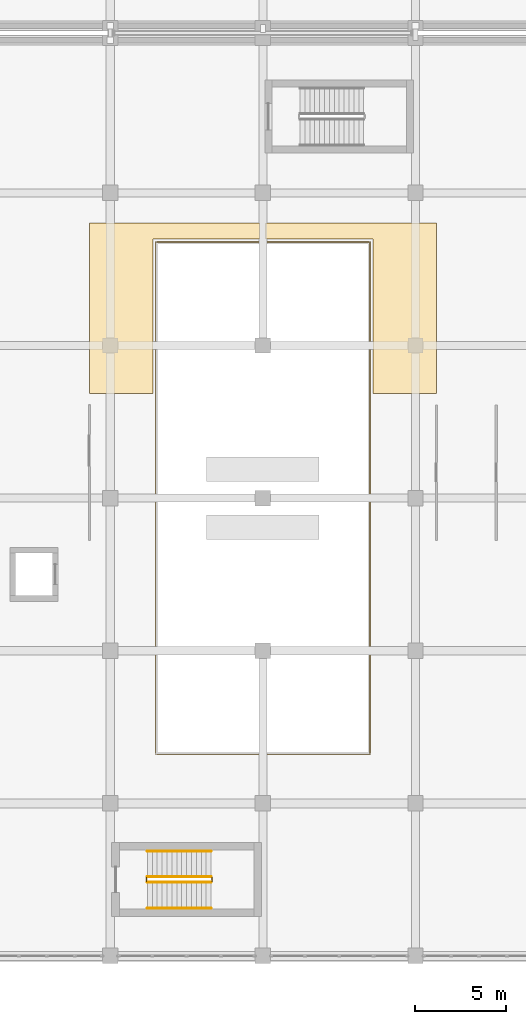
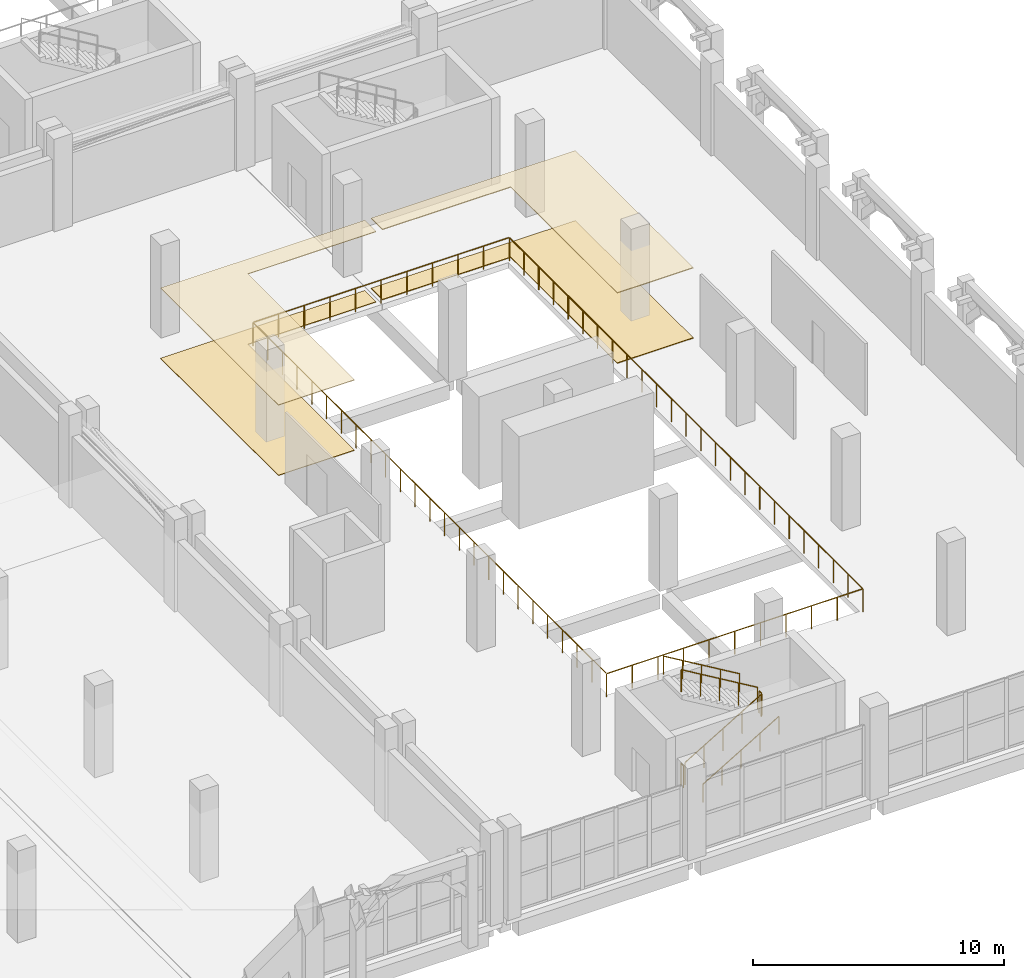
# One storey, part 127 of 137: 7 railings, 4 coverings.
"""IFC4 building model written with IfcOpenShell, lengths in metres."""

from ifc_helpers import new_model, si_unit, direction, frame, origin, origin_2d, place, context, subcontext, project, spatial, polyline, circle, outline, extrude, material, layer, layer_set, type_object, element, save


model = new_model("IFC4")

# Units and contexts
model_context = context("Model", 3, precision=1e-05, world=origin(), true_north=direction((0.0, 1.0)))
body_context = subcontext(model_context, "Body", "Model", "MODEL_VIEW")
ifc_project = project(units=[si_unit("LENGTHUNIT", "METRE"), si_unit("AREAUNIT", "SQUARE_METRE"), si_unit("VOLUMEUNIT", "CUBIC_METRE"), si_unit("PLANEANGLEUNIT", "RADIAN"), si_unit("MASSUNIT", "GRAM", prefix="KILO")], contexts=[model_context])

# Site, building, storey
site_placement = place(None, origin())
site = spatial("IfcSite", under=ifc_project, at=site_placement, CompositionType="ELEMENT")
building_placement = place(site_placement, origin())
building = spatial("IfcBuilding", under=site, at=building_placement, Name="Xazarin Passage Department Store", CompositionType="ELEMENT")
storey_placement = place(building_placement, frame((0.0, 0.0, 5.39990234375)))
storey = spatial("IfcBuildingStorey", under=building, at=storey_placement, Name="L01", CompositionType="ELEMENT", Elevation=5.39990234375)

# Coverings
ifc_material_1 = material(Name="Acoustic mineral ceiling")
ifc_layer_1 = layer(ifc_material_1, 0.030029296875)
ifc_layer_set_1 = layer_set([ifc_layer_1], Name="Acoustic mineral ceiling")
covering_type_1 = type_object("IfcCoveringType", Name="ARC-COV-CLG030", PredefinedType="CEILING", material=ifc_layer_set_1)
covering_1_placement = place(storey_placement, frame((0.0, 0.0, 3.420166015625)))
element("IfcCovering", 1, at=covering_1_placement, inside=storey, type_object=covering_type_1, Name="L01 Artisan Ceramic Gallery Acoustic Ceiling", PredefinedType="CEILING", context=body_context, shape_type="SweptSolid", body=[
    extrude(outline(polyline([(75.25, 40.35009765625), (75.25, 30.949951171875), (78.75, 30.949951171875), (78.75, 39.449951171875), (84.64990234375, 39.449951171875), (84.64990234375, 40.35009765625), (75.25, 40.35009765625)])), origin(), (0.0, 0.0, 1.0), 0.030029296875),
])
ifc_layer_2 = layer(ifc_material_1, 0.0400390625)
ifc_layer_set_2 = layer_set([ifc_layer_2], Name="Acoustic mineral ceiling")
covering_type_2 = type_object("IfcCoveringType", Name="ARC-COV-CLG040", PredefinedType="CEILING", material=ifc_layer_set_2)
covering_2_placement = place(storey_placement, frame((0.0, 0.0, 3.41015625)))
element("IfcCovering", 2, at=covering_2_placement, inside=storey, type_object=covering_type_2, Name="L01 Designer Eyewear Shop Acoustic Ceiling", PredefinedType="CEILING", context=body_context, shape_type="SweptSolid", body=[
    extrude(outline(polyline([(94.35009765625, 40.35009765625), (84.949951171875, 40.35009765625), (84.949951171875, 39.449951171875), (90.85009765625, 39.449951171875), (90.85009765625, 30.949951171875), (94.35009765625, 30.949951171875), (94.35009765625, 40.35009765625)])), origin(), (0.0, 0.0, 1.0), 0.0400390625),
])
ifc_material_2 = material(Name="Terrazzo stone flooring", Category="masonry")
ifc_layer_3 = layer(ifc_material_2, 0.02490234375)
ifc_layer_set_3 = layer_set([ifc_layer_3], Name="Terrazzo stone flooring")
covering_type_3 = type_object("IfcCoveringType", Name="ARC-COV-FLR025", PredefinedType="FLOORING", material=ifc_layer_set_3)
covering_3_placement = place(storey_placement, origin())
element("IfcCovering", 3, at=covering_3_placement, inside=storey, type_object=covering_type_3, Name="L01 Artisan Ceramic Gallery Terrazzo Flooring", PredefinedType="FLOORING", context=body_context, shape_type="SweptSolid", body=[
    extrude(outline(polyline([(75.25, 40.35009765625), (75.25, 30.949951171875), (78.75, 30.949951171875), (78.75, 39.449951171875), (84.64990234375, 39.449951171875), (84.64990234375, 40.35009765625), (75.25, 40.35009765625)])), origin(), (0.0, 0.0, 1.0), 0.025146484375),
])
ifc_layer_4 = layer(ifc_material_2, 0.034912109375)
ifc_layer_set_4 = layer_set([ifc_layer_4], Name="Terrazzo stone flooring")
covering_type_4 = type_object("IfcCoveringType", Name="ARC-COV-FLR035", PredefinedType="FLOORING", material=ifc_layer_set_4)
covering_4_placement = place(storey_placement, origin())
element("IfcCovering", 4, at=covering_4_placement, inside=storey, type_object=covering_type_4, Name="L01 Designer Eyewear Shop Terrazzo Flooring", PredefinedType="FLOORING", context=body_context, shape_type="SweptSolid", body=[
    extrude(outline(polyline([(94.35009765625, 40.35009765625), (84.949951171875, 40.35009765625), (84.949951171875, 39.449951171875), (90.85009765625, 39.449951171875), (90.85009765625, 30.949951171875), (94.35009765625, 30.949951171875), (94.35009765625, 40.35009765625)])), origin(), (0.0, 0.0, 1.0), 0.03515625),
])

# Railings
ifc_material_3 = material(Name="Low-E laminated safety glass", Category="glass")
railing_type_1 = type_object("IfcRailingType", Name="ARC-RL-BAL115", PredefinedType="BALUSTRADE", material=ifc_material_3)
railing_1_placement = place(storey_placement, frame((78.89990234375, 11.10009765625, 0.0)))
element("IfcRailing", 5, at=railing_1_placement, inside=storey, type_object=railing_type_1, Name="L01 Void Edge Balustrade 0002", PredefinedType="BALUSTRADE", context=body_context, shape_type="SweptSolid", body=[
    extrude(circle(Radius=0.02392578125, at=origin_2d()), frame((0.03125, 0.0, 1.1259765625), z_axis=(1.0, 0.0, 0.0), x_axis=(0.0, 1.0, 0.0)), (0.0, 0.0, 1.0), 11.737548828125),
    extrude(circle(Radius=0.02392578125, at=origin_2d()), frame((11.800048828125, 0.03125, 1.1259765625), z_axis=(0.0, 1.0, 0.0), x_axis=(-1.0, 0.0, 0.0)), (0.0, 0.0, 1.0), 28.137451171875),
    extrude(circle(Radius=0.02392578125, at=origin_2d()), frame((11.768798828125, 28.199951171875, 1.1259765625), z_axis=(-1.0, 0.0, 0.0), x_axis=(0.0, -1.0, 0.0)), (0.0, 0.0, 1.0), 11.737548828125),
    extrude(circle(Radius=0.02392578125, at=origin_2d()), frame((0.0, 28.168701171875, 1.1259765625), z_axis=(0.0, -1.0, 0.0), x_axis=(1.0, 0.0, 0.0)), (0.0, 0.0, 1.0), 28.137451171875),
    extrude(circle(Radius=0.02099609375, at=origin_2d()), origin(), (0.0, 0.0, 1.0), 1.1015625),
    extrude(circle(Radius=0.02099609375, at=origin_2d()), frame((1.179931640625, 0.0, 0.0)), (0.0, 0.0, 1.0), 1.1015625),
    extrude(circle(Radius=0.02099609375, at=origin_2d()), frame((2.360107421875, 0.0, 0.0)), (0.0, 0.0, 1.0), 1.1015625),
    extrude(circle(Radius=0.02099609375, at=origin_2d()), frame((3.5400390625, 0.0, 0.0)), (0.0, 0.0, 1.0), 1.1015625),
    extrude(circle(Radius=0.02099609375, at=origin_2d()), frame((4.719970703125, 0.0, 0.0)), (0.0, 0.0, 1.0), 1.1015625),
    extrude(circle(Radius=0.02099609375, at=origin_2d()), frame((5.89990234375, 0.0, 0.0)), (0.0, 0.0, 1.0), 1.1015625),
    extrude(circle(Radius=0.02099609375, at=origin_2d()), frame((7.080078125, 0.0, 0.0)), (0.0, 0.0, 1.0), 1.1015625),
    extrude(circle(Radius=0.02099609375, at=origin_2d()), frame((8.260009765625, 0.0, 0.0)), (0.0, 0.0, 1.0), 1.1015625),
    extrude(circle(Radius=0.02099609375, at=origin_2d()), frame((9.43994140625, 0.0, 0.0)), (0.0, 0.0, 1.0), 1.1015625),
    extrude(circle(Radius=0.02099609375, at=origin_2d()), frame((10.6201171875, 0.0, 0.0)), (0.0, 0.0, 1.0), 1.1015625),
    extrude(circle(Radius=0.02099609375, at=origin_2d()), frame((11.800048828125, 0.0, 0.0)), (0.0, 0.0, 1.0), 1.1015625),
    extrude(circle(Radius=0.02099609375, at=origin_2d()), frame((11.800048828125, 1.175048828125, 0.0)), (0.0, 0.0, 1.0), 1.1015625),
    extrude(circle(Radius=0.02099609375, at=origin_2d()), frame((11.800048828125, 2.35009765625, 0.0)), (0.0, 0.0, 1.0), 1.1015625),
    extrude(circle(Radius=0.02099609375, at=origin_2d()), frame((11.800048828125, 3.52490234375, 0.0)), (0.0, 0.0, 1.0), 1.1015625),
    extrude(circle(Radius=0.02099609375, at=origin_2d()), frame((11.800048828125, 4.699951171875, 0.0)), (0.0, 0.0, 1.0), 1.1015625),
    extrude(circle(Radius=0.02099609375, at=origin_2d()), frame((11.800048828125, 5.875, 0.0)), (0.0, 0.0, 1.0), 1.1015625),
    extrude(circle(Radius=0.02099609375, at=origin_2d()), frame((11.800048828125, 7.050048828125, 0.0)), (0.0, 0.0, 1.0), 1.1015625),
    extrude(circle(Radius=0.02099609375, at=origin_2d()), frame((11.800048828125, 8.22509765625, 0.0)), (0.0, 0.0, 1.0), 1.1015625),
    extrude(circle(Radius=0.02099609375, at=origin_2d()), frame((11.800048828125, 9.39990234375, 0.0)), (0.0, 0.0, 1.0), 1.1015625),
    extrude(circle(Radius=0.02099609375, at=origin_2d()), frame((11.800048828125, 10.574951171875, 0.0)), (0.0, 0.0, 1.0), 1.1015625),
    extrude(circle(Radius=0.02099609375, at=origin_2d()), frame((11.800048828125, 11.75, 0.0)), (0.0, 0.0, 1.0), 1.1015625),
    extrude(circle(Radius=0.02099609375, at=origin_2d()), frame((11.800048828125, 12.925048828125, 0.0)), (0.0, 0.0, 1.0), 1.1015625),
    extrude(circle(Radius=0.02099609375, at=origin_2d()), frame((11.800048828125, 14.10009765625, 0.0)), (0.0, 0.0, 1.0), 1.1015625),
    extrude(circle(Radius=0.02099609375, at=origin_2d()), frame((11.800048828125, 15.27490234375, 0.0)), (0.0, 0.0, 1.0), 1.1015625),
    extrude(circle(Radius=0.02099609375, at=origin_2d()), frame((11.800048828125, 16.449951171875, 0.0)), (0.0, 0.0, 1.0), 1.1015625),
    extrude(circle(Radius=0.02099609375, at=origin_2d()), frame((11.800048828125, 17.625, 0.0)), (0.0, 0.0, 1.0), 1.1015625),
    extrude(circle(Radius=0.02099609375, at=origin_2d()), frame((11.800048828125, 18.800048828125, 0.0)), (0.0, 0.0, 1.0), 1.1015625),
    extrude(circle(Radius=0.02099609375, at=origin_2d()), frame((11.800048828125, 19.974853515625, 0.0)), (0.0, 0.0, 1.0), 1.1015625),
    extrude(circle(Radius=0.02099609375, at=origin_2d()), frame((11.800048828125, 21.14990234375, 0.0)), (0.0, 0.0, 1.0), 1.1015625),
    extrude(circle(Radius=0.02099609375, at=origin_2d()), frame((11.800048828125, 22.324951171875, 0.0)), (0.0, 0.0, 1.0), 1.1015625),
    extrude(circle(Radius=0.02099609375, at=origin_2d()), frame((11.800048828125, 23.5, 0.0)), (0.0, 0.0, 1.0), 1.1015625),
    extrude(circle(Radius=0.02099609375, at=origin_2d()), frame((11.800048828125, 24.675048828125, 0.0)), (0.0, 0.0, 1.0), 1.1015625),
    extrude(circle(Radius=0.02099609375, at=origin_2d()), frame((11.800048828125, 25.849853515625, 0.0)), (0.0, 0.0, 1.0), 1.1015625),
    extrude(circle(Radius=0.02099609375, at=origin_2d()), frame((11.800048828125, 27.02490234375, 0.0)), (0.0, 0.0, 1.0), 1.1015625),
    extrude(circle(Radius=0.02099609375, at=origin_2d()), frame((11.800048828125, 28.199951171875, 0.0)), (0.0, 0.0, 1.0), 1.1015625),
    extrude(circle(Radius=0.02099609375, at=origin_2d()), frame((10.6201171875, 28.199951171875, 0.0)), (0.0, 0.0, 1.0), 1.1015625),
    extrude(circle(Radius=0.02099609375, at=origin_2d()), frame((9.43994140625, 28.199951171875, 0.0)), (0.0, 0.0, 1.0), 1.1015625),
    extrude(circle(Radius=0.02099609375, at=origin_2d()), frame((8.260009765625, 28.199951171875, 0.0)), (0.0, 0.0, 1.0), 1.1015625),
    extrude(circle(Radius=0.02099609375, at=origin_2d()), frame((7.080078125, 28.199951171875, 0.0)), (0.0, 0.0, 1.0), 1.1015625),
    extrude(circle(Radius=0.02099609375, at=origin_2d()), frame((5.89990234375, 28.199951171875, 0.0)), (0.0, 0.0, 1.0), 1.1015625),
    extrude(circle(Radius=0.02099609375, at=origin_2d()), frame((4.719970703125, 28.199951171875, 0.0)), (0.0, 0.0, 1.0), 1.1015625),
    extrude(circle(Radius=0.02099609375, at=origin_2d()), frame((3.5400390625, 28.199951171875, 0.0)), (0.0, 0.0, 1.0), 1.1015625),
    extrude(circle(Radius=0.02099609375, at=origin_2d()), frame((2.360107421875, 28.199951171875, 0.0)), (0.0, 0.0, 1.0), 1.1015625),
    extrude(circle(Radius=0.02099609375, at=origin_2d()), frame((1.179931640625, 28.199951171875, 0.0)), (0.0, 0.0, 1.0), 1.1015625),
    extrude(circle(Radius=0.02099609375, at=origin_2d()), frame((0.0, 28.199951171875, 0.0)), (0.0, 0.0, 1.0), 1.1015625),
    extrude(circle(Radius=0.02099609375, at=origin_2d()), frame((0.0, 27.02490234375, 0.0)), (0.0, 0.0, 1.0), 1.1015625),
    extrude(circle(Radius=0.02099609375, at=origin_2d()), frame((0.0, 25.849853515625, 0.0)), (0.0, 0.0, 1.0), 1.1015625),
    extrude(circle(Radius=0.02099609375, at=origin_2d()), frame((0.0, 24.675048828125, 0.0)), (0.0, 0.0, 1.0), 1.1015625),
    extrude(circle(Radius=0.02099609375, at=origin_2d()), frame((0.0, 23.5, 0.0)), (0.0, 0.0, 1.0), 1.1015625),
    extrude(circle(Radius=0.02099609375, at=origin_2d()), frame((0.0, 22.324951171875, 0.0)), (0.0, 0.0, 1.0), 1.1015625),
    extrude(circle(Radius=0.02099609375, at=origin_2d()), frame((0.0, 21.14990234375, 0.0)), (0.0, 0.0, 1.0), 1.1015625),
    extrude(circle(Radius=0.02099609375, at=origin_2d()), frame((0.0, 19.974853515625, 0.0)), (0.0, 0.0, 1.0), 1.1015625),
    extrude(circle(Radius=0.02099609375, at=origin_2d()), frame((0.0, 18.800048828125, 0.0)), (0.0, 0.0, 1.0), 1.1015625),
    extrude(circle(Radius=0.02099609375, at=origin_2d()), frame((0.0, 17.625, 0.0)), (0.0, 0.0, 1.0), 1.1015625),
    extrude(circle(Radius=0.02099609375, at=origin_2d()), frame((0.0, 16.449951171875, 0.0)), (0.0, 0.0, 1.0), 1.1015625),
    extrude(circle(Radius=0.02099609375, at=origin_2d()), frame((0.0, 15.27490234375, 0.0)), (0.0, 0.0, 1.0), 1.1015625),
    extrude(circle(Radius=0.02099609375, at=origin_2d()), frame((0.0, 14.10009765625, 0.0)), (0.0, 0.0, 1.0), 1.1015625),
    extrude(circle(Radius=0.02099609375, at=origin_2d()), frame((0.0, 12.925048828125, 0.0)), (0.0, 0.0, 1.0), 1.1015625),
    extrude(circle(Radius=0.02099609375, at=origin_2d()), frame((0.0, 11.75, 0.0)), (0.0, 0.0, 1.0), 1.1015625),
    extrude(circle(Radius=0.02099609375, at=origin_2d()), frame((0.0, 10.574951171875, 0.0)), (0.0, 0.0, 1.0), 1.1015625),
    extrude(circle(Radius=0.02099609375, at=origin_2d()), frame((0.0, 9.39990234375, 0.0)), (0.0, 0.0, 1.0), 1.1015625),
    extrude(circle(Radius=0.02099609375, at=origin_2d()), frame((0.0, 8.22509765625, 0.0)), (0.0, 0.0, 1.0), 1.1015625),
    extrude(circle(Radius=0.02099609375, at=origin_2d()), frame((0.0, 7.050048828125, 0.0)), (0.0, 0.0, 1.0), 1.1015625),
    extrude(circle(Radius=0.02099609375, at=origin_2d()), frame((0.0, 5.875, 0.0)), (0.0, 0.0, 1.0), 1.1015625),
    extrude(circle(Radius=0.02099609375, at=origin_2d()), frame((0.0, 4.699951171875, 0.0)), (0.0, 0.0, 1.0), 1.1015625),
    extrude(circle(Radius=0.02099609375, at=origin_2d()), frame((0.0, 3.52490234375, 0.0)), (0.0, 0.0, 1.0), 1.1015625),
    extrude(circle(Radius=0.02099609375, at=origin_2d()), frame((0.0, 2.35009765625, 0.0)), (0.0, 0.0, 1.0), 1.1015625),
    extrude(circle(Radius=0.02099609375, at=origin_2d()), frame((0.0, 1.175048828125, 0.0)), (0.0, 0.0, 1.0), 1.1015625),
])
ifc_material_4 = material(Name="Steel S355", Category="steel")
railing_type_2 = type_object("IfcRailingType", Name="ARC-RL-GRD112", PredefinedType="GUARDRAIL", material=ifc_material_4)
railing_2_placement = place(storey_placement, frame((78.43994140625, 4.050048828125, 0.160888671875)))
element("IfcRailing", 6, at=railing_2_placement, inside=storey, type_object=railing_type_2, Name="L01 ST4 stair guard 1", PredefinedType="GUARDRAIL", context=body_context, shape_type="SweptSolid", body=[
    extrude(circle(Radius=0.02392578125, at=origin_2d()), frame((0.0, 0.0, 1.076171875), z_axis=(0.859312273368, 0.0, 0.511451284914), x_axis=(0.0, 1.0, 0.0)), (0.0, 0.0, 1.0), 4.084716796875),
    extrude(circle(Radius=0.02099609375, at=origin_2d()), origin(), (0.0, 0.0, 1.0), 1.0517578125),
    extrude(circle(Radius=0.02099609375, at=origin_2d()), frame((0.87744140625, 0.0, 0.522216796875)), (0.0, 0.0, 1.0), 1.0517578125),
    extrude(circle(Radius=0.02099609375, at=origin_2d()), frame((1.7548828125, 0.0, 1.04443359375)), (0.0, 0.0, 1.0), 1.0517578125),
    extrude(circle(Radius=0.02099609375, at=origin_2d()), frame((2.632568359375, 0.0, 1.56689453125)), (0.0, 0.0, 1.0), 1.0517578125),
    extrude(circle(Radius=0.02099609375, at=origin_2d()), frame((3.510009765625, 0.0, 2.089111328125)), (0.0, 0.0, 1.0), 1.0517578125),
])
railing_3_placement = place(storey_placement, frame((82.0, 4.10009765625, 2.25)))
element("IfcRailing", 7, at=railing_3_placement, inside=storey, type_object=railing_type_2, Name="L01 ST4 stair guard 2", PredefinedType="GUARDRAIL", context=body_context, shape_type="SweptSolid", body=[
    extrude(circle(Radius=0.02392578125, at=origin_2d()), frame((0.0, 0.0, 1.076171875), z_axis=(0.0, 1.0, 0.0), x_axis=(-1.0, 0.0, 0.0)), (0.0, 0.0, 1.0), 0.199951171875),
    extrude(circle(Radius=0.02099609375, at=origin_2d()), origin(), (0.0, 0.0, 1.0), 1.0517578125),
    extrude(circle(Radius=0.02099609375, at=origin_2d()), frame((0.0, 0.199951171875, 0.0)), (0.0, 0.0, 1.0), 1.0517578125),
])
railing_4_placement = place(storey_placement, frame((81.949951171875, 4.35009765625, 2.410888671875)))
element("IfcRailing", 8, at=railing_4_placement, inside=storey, type_object=railing_type_2, Name="L01 ST4 stair guard 3", PredefinedType="GUARDRAIL", context=body_context, shape_type="SweptSolid", body=[
    extrude(circle(Radius=0.02392578125, at=origin_2d()), frame((0.0, 0.0, 1.076171875), z_axis=(-0.859312273368, 0.0, 0.511451284914), x_axis=(0.0, -1.0, 0.0)), (0.0, 0.0, 1.0), 4.084716796875),
    extrude(circle(Radius=0.02099609375, at=origin_2d()), origin(), (0.0, 0.0, 1.0), 1.0517578125),
    extrude(circle(Radius=0.02099609375, at=origin_2d()), frame((-0.87744140625, 0.0, 0.522216796875)), (0.0, 0.0, 1.0), 1.0517578125),
    extrude(circle(Radius=0.02099609375, at=origin_2d()), frame((-1.7548828125, 0.0, 1.04443359375)), (0.0, 0.0, 1.0), 1.0517578125),
    extrude(circle(Radius=0.02099609375, at=origin_2d()), frame((-2.632568359375, 0.0, 1.56689453125)), (0.0, 0.0, 1.0), 1.0517578125),
    extrude(circle(Radius=0.02099609375, at=origin_2d()), frame((-3.510009765625, 0.0, 2.089111328125)), (0.0, 0.0, 1.0), 1.0517578125),
])
railing_5_placement = place(storey_placement, frame((78.389892578125, 4.10009765625, 0.0)))
element("IfcRailing", 9, at=railing_5_placement, inside=storey, type_object=railing_type_2, Name="L01 ST4 stair guard 4", PredefinedType="GUARDRAIL", context=body_context, shape_type="SweptSolid", body=[
    extrude(circle(Radius=0.02392578125, at=origin_2d()), frame((0.0, 0.0, 1.076171875), z_axis=(0.0, 1.0, 0.0), x_axis=(-1.0, 0.0, 0.0)), (0.0, 0.0, 1.0), 0.199951171875),
    extrude(circle(Radius=0.02099609375, at=origin_2d()), origin(), (0.0, 0.0, 1.0), 1.0517578125),
    extrude(circle(Radius=0.02099609375, at=origin_2d()), frame((0.0, 0.199951171875, 0.0)), (0.0, 0.0, 1.0), 1.0517578125),
])
railing_type_3 = type_object("IfcRailingType", Name="ARC-RL-HND090", PredefinedType="HANDRAIL", material=ifc_material_4)
railing_6_placement = place(storey_placement, frame((78.43994140625, 2.6298828125, 0.160888671875)))
element("IfcRailing", 10, at=railing_6_placement, inside=storey, type_object=railing_type_3, Name="L01 ST4 stair handrail 1", PredefinedType="HANDRAIL", context=body_context, shape_type="SweptSolid", body=[
    extrude(circle(Radius=0.02392578125, at=origin_2d()), frame((0.0, 0.0, 0.8759765625), z_axis=(0.859312273368, 0.0, 0.511451284914), x_axis=(0.0, 1.0, 0.0)), (0.0, 0.0, 1.0), 4.084716796875),
    extrude(circle(Radius=0.02099609375, at=origin_2d()), origin(), (0.0, 0.0, 1.0), 0.8515625),
    extrude(circle(Radius=0.02099609375, at=origin_2d()), frame((0.87744140625, 0.0, 0.522216796875)), (0.0, 0.0, 1.0), 0.8515625),
    extrude(circle(Radius=0.02099609375, at=origin_2d()), frame((1.7548828125, 0.0, 1.04443359375)), (0.0, 0.0, 1.0), 0.8515625),
    extrude(circle(Radius=0.02099609375, at=origin_2d()), frame((2.632568359375, 0.0, 1.56689453125)), (0.0, 0.0, 1.0), 0.8515625),
    extrude(circle(Radius=0.02099609375, at=origin_2d()), frame((3.510009765625, 0.0, 2.089111328125)), (0.0, 0.0, 1.0), 0.8515625),
])
railing_7_placement = place(storey_placement, frame((81.949951171875, 5.77001953125, 2.410888671875)))
element("IfcRailing", 11, at=railing_7_placement, inside=storey, type_object=railing_type_3, Name="L01 ST4 stair handrail 2", PredefinedType="HANDRAIL", context=body_context, shape_type="SweptSolid", body=[
    extrude(circle(Radius=0.02392578125, at=origin_2d()), frame((0.0, 0.0, 0.8759765625), z_axis=(-0.859312273368, 0.0, 0.511451284914), x_axis=(0.0, -1.0, 0.0)), (0.0, 0.0, 1.0), 4.084716796875),
    extrude(circle(Radius=0.02099609375, at=origin_2d()), origin(), (0.0, 0.0, 1.0), 0.8515625),
    extrude(circle(Radius=0.02099609375, at=origin_2d()), frame((-0.87744140625, 0.0, 0.522216796875)), (0.0, 0.0, 1.0), 0.8515625),
    extrude(circle(Radius=0.02099609375, at=origin_2d()), frame((-1.7548828125, 0.0, 1.04443359375)), (0.0, 0.0, 1.0), 0.8515625),
    extrude(circle(Radius=0.02099609375, at=origin_2d()), frame((-2.632568359375, 0.0, 1.56689453125)), (0.0, 0.0, 1.0), 0.8515625),
    extrude(circle(Radius=0.02099609375, at=origin_2d()), frame((-3.510009765625, 0.0, 2.089111328125)), (0.0, 0.0, 1.0), 0.8515625),
])

save(model, "model.ifc")
